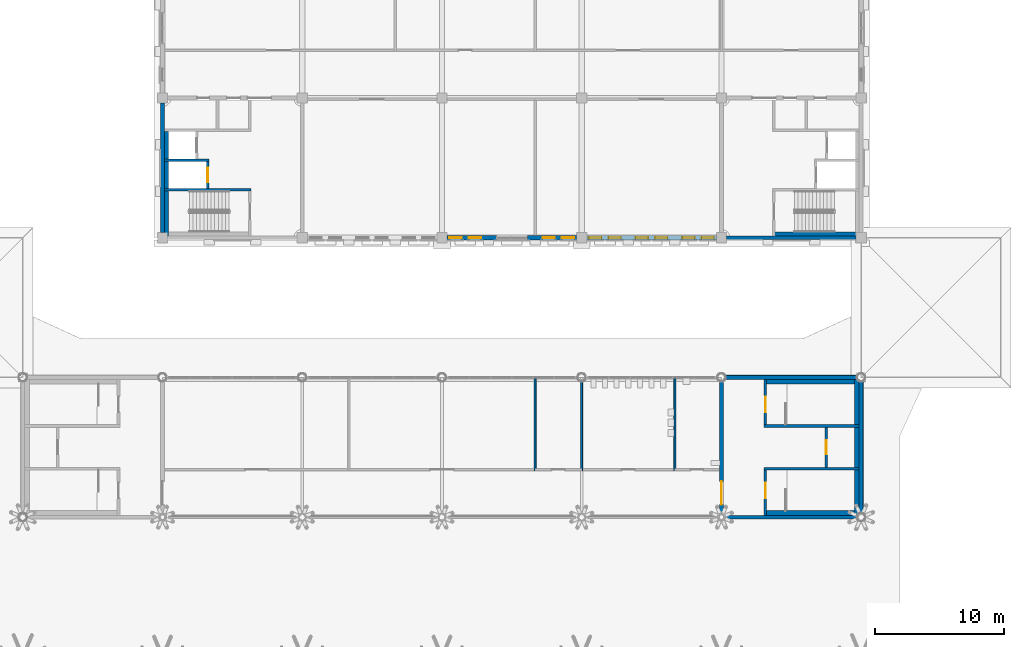
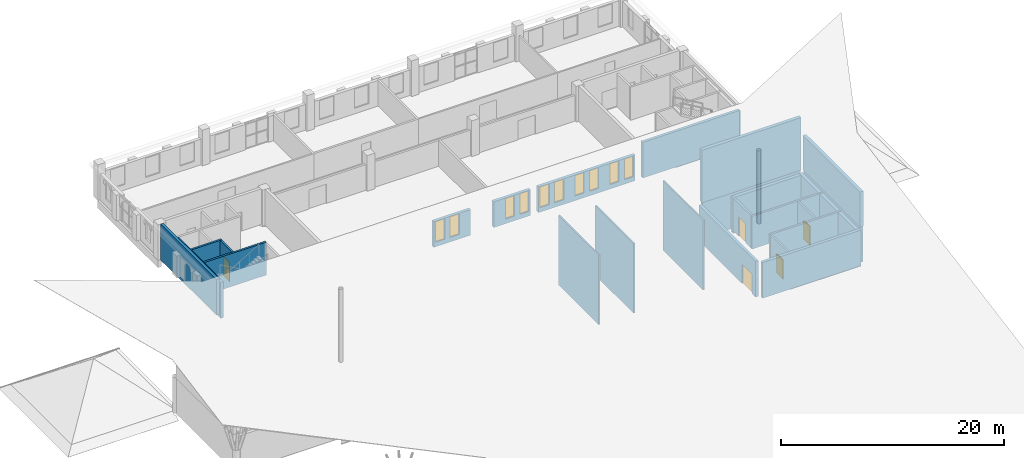
# One storey, part 44 of 56: 31 walls, 10 windows, 5 doors, 15 openings.
"""IFC4 building model written with IfcOpenShell, lengths in metres."""

from ifc_helpers import new_model, si_unit, direction, frame, frame_2d, origin, place, context, subcontext, project, spatial, rectangle, extrude, material, layer, layer_set, type_object, element, fill, save


model = new_model("IFC4")

# Units and contexts
model_context = context("Model", 3, precision=1e-05, world=origin(), true_north=direction((0.0, 1.0)))
body_context = subcontext(model_context, "Body", "Model", "MODEL_VIEW")
ifc_project = project(units=[si_unit("LENGTHUNIT", "METRE"), si_unit("AREAUNIT", "SQUARE_METRE"), si_unit("VOLUMEUNIT", "CUBIC_METRE"), si_unit("PLANEANGLEUNIT", "RADIAN"), si_unit("MASSUNIT", "GRAM", prefix="KILO")], contexts=[model_context])

# Site, building, storey
site_placement = place(None, origin())
site = spatial("IfcSite", under=ifc_project, at=site_placement, CompositionType="ELEMENT")
building_placement = place(site_placement, origin())
building = spatial("IfcBuilding", under=site, at=building_placement, Name="Magnolia Steps Interchange", CompositionType="ELEMENT")
storey_placement = place(building_placement, frame((0.0, 0.0, 8.699951171875)))
storey = spatial("IfcBuildingStorey", under=building, at=storey_placement, Name="L02", CompositionType="ELEMENT", Elevation=8.699951171875)

# Wall, opening, door
ifc_material_1 = material(Name="Concrete C35", Category="concrete")
ifc_layer_1 = layer(ifc_material_1, 0.199951171875)
ifc_layer_set_1 = layer_set([ifc_layer_1], Name="Core enclosure wall 200")
wall_type_1 = type_object("IfcWallType", Name="Core enclosure wall 200", PredefinedType="SOLIDWALL", material=ifc_layer_set_1)
wall_1_placement = place(storey_placement, frame((110.60009765625, 85.449951171875, 0.0), z_axis=(0.0, 0.0, 1.0), x_axis=(0.0, -1.0, 0.0)))
wall_1 = element("IfcWall", 1, at=wall_1_placement, inside=storey, type_object=wall_type_1, Name="L02 HC2 enclosure wall", PredefinedType="SOLIDWALL", context=body_context, shape_type="SweptSolid", body=[
    extrude(rectangle(XDim=3.5, YDim=0.199951171875, at=frame_2d((1.75, 0.0))), origin(), (0.0, 0.0, 1.0), 3.60009765625),
])
opening_1_placement = place(wall_1_placement, frame((1.324951171875, 0.0, 0.0)))
opening_1 = element("IfcOpeningElement", 2, at=opening_1_placement, cuts=wall_1, Name="Opening D-HC2-L02-1", PredefinedType="OPENING", context=body_context, shape_type="SweptSolid", body=[
    extrude(rectangle(XDim=1.199951171875, YDim=2.10009765625, at=frame_2d((0.60009765625, 1.050048828125))), frame((0.0, 0.10986328125, 0.0), z_axis=(0.0, -1.0, 0.0), x_axis=(1.0, 0.0, 0.0)), (0.0, 0.0, 1.0), 0.219970703125),
])
ifc_material_2 = material(Name="Painted steel", Category="steel")
door_type_1 = type_object("IfcDoorType", Name="Stair fire door 1200x2100", OperationType="NOTDEFINED", PredefinedType="DOOR", material=ifc_material_2)
door_1_placement = place(opening_1_placement, frame((1.199951171875, 0.0, 0.0), z_axis=(0.0, 0.0, 1.0), x_axis=(-1.0, 0.0, 0.0)))
door_1 = element("IfcDoor", 3, at=door_1_placement, inside=storey, type_object=door_type_1, Name="Stair door ST3 L02", OperationType="SINGLE_SWING_LEFT", OverallHeight=2.10009765625, OverallWidth=1.199951171875, PredefinedType="DOOR", context=body_context, shape_type="SweptSolid", body=[
    extrude(rectangle(XDim=1.199951171875, YDim=2.10009765625, at=frame_2d((0.60009765625, 1.050048828125))), frame((0.0, 0.02490234375, 0.0), z_axis=(0.0, -1.0, 0.0), x_axis=(1.0, 0.0, 0.0)), (0.0, 0.0, 1.0), 0.050048828125),
])
fill(opening_1, door_1)

# Wall
wall_2_placement = place(storey_placement, frame((110.5, 81.85009765625, 0.0), z_axis=(0.0, 0.0, 1.0), x_axis=(1.0, 0.0, 0.0)))
element("IfcWall", 4, at=wall_2_placement, inside=storey, type_object=wall_type_1, Name="L02 HC2 enclosure wall", PredefinedType="SOLIDWALL", context=body_context, shape_type="SweptSolid", body=[
    extrude(rectangle(XDim=7.35009765625, YDim=0.199951171875, at=frame_2d((3.675048828125, 0.0))), origin(), (0.0, 0.0, 1.0), 3.60009765625),
])

# Wall, opening, door
wall_3_placement = place(storey_placement, frame((115.300048828125, 81.75, 0.0), z_axis=(0.0, 0.0, 1.0), x_axis=(0.0, -1.0, 0.0)))
wall_3 = element("IfcWall", 5, at=wall_3_placement, inside=storey, type_object=wall_type_1, Name="L02 HC2 enclosure wall", PredefinedType="SOLIDWALL", context=body_context, shape_type="SweptSolid", body=[
    extrude(rectangle(XDim=3.10009765625, YDim=0.199951171875, at=frame_2d((1.550048828125, 0.0))), origin(), (0.0, 0.0, 1.0), 3.60009765625),
])
opening_2_placement = place(wall_3_placement, frame((1.0, 0.0, 0.0)))
opening_2 = element("IfcOpeningElement", 6, at=opening_2_placement, cuts=wall_3, Name="Opening LD", PredefinedType="OPENING", context=body_context, shape_type="SweptSolid", body=[
    extrude(rectangle(XDim=1.10009765625, YDim=2.10009765625, at=frame_2d((0.550048828125, 1.050048828125))), frame((0.0, 0.10986328125, 0.0), z_axis=(0.0, -1.0, 0.0), x_axis=(1.0, 0.0, 0.0)), (0.0, 0.0, 1.0), 0.219970703125),
])
ifc_material_3 = material(Name="Stainless steel grade 304", Category="steel")
door_type_2 = type_object("IfcDoorType", Name="Lift landing door 1100x2100", OperationType="DOUBLE_DOOR_SLIDING", PredefinedType="DOOR", material=ifc_material_3)
door_2_placement = place(opening_2_placement, frame((1.10009765625, 0.0, 0.0), z_axis=(0.0, 0.0, 1.0), x_axis=(-1.0, 0.0, 0.0)))
door_2 = element("IfcDoor", 7, at=door_2_placement, inside=storey, type_object=door_type_2, Name="Lift landing door LF2 L02", OperationType="DOUBLE_DOOR_SLIDING", OverallHeight=2.10009765625, OverallWidth=1.10009765625, PredefinedType="DOOR", context=body_context, shape_type="SweptSolid", body=[
    extrude(rectangle(XDim=1.10009765625, YDim=2.10009765625, at=frame_2d((0.550048828125, 1.050048828125))), frame((0.0, 0.02490234375, 0.0), z_axis=(0.0, -1.0, 0.0), x_axis=(1.0, 0.0, 0.0)), (0.0, 0.0, 1.0), 0.050048828125),
])
fill(opening_2, door_2)

# Wall
wall_4_placement = place(storey_placement, frame((110.5, 78.550048828125, 0.0), z_axis=(0.0, 0.0, 1.0), x_axis=(1.0, 0.0, 0.0)))
element("IfcWall", 8, at=wall_4_placement, inside=storey, type_object=wall_type_1, Name="L02 HC2 enclosure wall", PredefinedType="SOLIDWALL", context=body_context, shape_type="SweptSolid", body=[
    extrude(rectangle(XDim=7.35009765625, YDim=0.199951171875, at=frame_2d((3.675048828125, 0.0))), origin(), (0.0, 0.0, 1.0), 3.60009765625),
])

# Wall, opening, door
wall_5_placement = place(storey_placement, frame((110.60009765625, 78.449951171875, 0.0), z_axis=(0.0, 0.0, 1.0), x_axis=(0.0, -1.0, 0.0)))
wall_5 = element("IfcWall", 9, at=wall_5_placement, inside=storey, type_object=wall_type_1, Name="L02 HC2 enclosure wall", PredefinedType="SOLIDWALL", context=body_context, shape_type="SweptSolid", body=[
    extrude(rectangle(XDim=3.5, YDim=0.199951171875, at=frame_2d((1.75, 0.0))), origin(), (0.0, 0.0, 1.0), 3.60009765625),
])
opening_3_placement = place(wall_5_placement, frame((0.97509765625, 0.0, 0.0)))
opening_3 = element("IfcOpeningElement", 10, at=opening_3_placement, cuts=wall_5, Name="Opening D-HC2-L02-2", PredefinedType="OPENING", context=body_context, shape_type="SweptSolid", body=[
    extrude(rectangle(XDim=1.199951171875, YDim=2.10009765625, at=frame_2d((0.60009765625, 1.050048828125))), frame((0.0, 0.10986328125, 0.0), z_axis=(0.0, -1.0, 0.0), x_axis=(1.0, 0.0, 0.0)), (0.0, 0.0, 1.0), 0.219970703125),
])
door_3_placement = place(opening_3_placement, frame((1.199951171875, 0.0, 0.0), z_axis=(0.0, 0.0, 1.0), x_axis=(-1.0, 0.0, 0.0)))
door_3 = element("IfcDoor", 11, at=door_3_placement, inside=storey, type_object=door_type_1, Name="Stair door ST4 L02", OperationType="SINGLE_SWING_RIGHT", OverallHeight=2.10009765625, OverallWidth=1.199951171875, PredefinedType="DOOR", context=body_context, shape_type="SweptSolid", body=[
    extrude(rectangle(XDim=1.199951171875, YDim=2.10009765625, at=frame_2d((0.60009765625, 1.050048828125))), frame((0.0, 0.02490234375, 0.0), z_axis=(0.0, -1.0, 0.0), x_axis=(1.0, 0.0, 0.0)), (0.0, 0.0, 1.0), 0.050048828125),
])
fill(opening_3, door_3)

# Wall
wall_6_placement = place(storey_placement, frame((70.85009765625, 100.10009765625, 0.0), z_axis=(0.0, 0.0, 1.0), x_axis=(-1.0, 0.0, 0.0)))
element("IfcWall", 12, at=wall_6_placement, inside=storey, type_object=wall_type_1, Name="L02 OC-W enclosure wall", PredefinedType="SOLIDWALL", context=body_context, shape_type="SweptSolid", body=[
    extrude(rectangle(XDim=6.7001953125, YDim=0.199951171875, at=frame_2d((3.35009765625, 0.0))), origin(), (0.0, 0.0, 1.0), 3.60009765625),
])

# Wall, opening, door
wall_7_placement = place(storey_placement, frame((67.5, 100.199951171875, 0.0), z_axis=(0.0, 0.0, 1.0), x_axis=(0.0, 1.0, 0.0)))
wall_7 = element("IfcWall", 13, at=wall_7_placement, inside=storey, type_object=wall_type_1, Name="L02 OC-W enclosure wall", PredefinedType="SOLIDWALL", context=body_context, shape_type="SweptSolid", body=[
    extrude(rectangle(XDim=2.10009765625, YDim=0.199951171875, at=frame_2d((1.050048828125, 0.0))), origin(), (0.0, 0.0, 1.0), 3.60009765625),
])
opening_4_placement = place(wall_7_placement, frame((0.5, 0.0, 0.0)))
opening_4 = element("IfcOpeningElement", 14, at=opening_4_placement, cuts=wall_7, Name="Opening LD", PredefinedType="OPENING", context=body_context, shape_type="SweptSolid", body=[
    extrude(rectangle(XDim=1.10009765625, YDim=2.10009765625, at=frame_2d((0.550048828125, 1.050048828125))), frame((0.0, 0.10986328125, 0.0), z_axis=(0.0, -1.0, 0.0), x_axis=(1.0, 0.0, 0.0)), (0.0, 0.0, 1.0), 0.219970703125),
])
door_4_placement = place(opening_4_placement, frame((1.10009765625, 0.0, 0.0), z_axis=(0.0, 0.0, 1.0), x_axis=(-1.0, 0.0, 0.0)))
door_4 = element("IfcDoor", 15, at=door_4_placement, inside=storey, type_object=door_type_2, Name="Lift landing door LF15 L02", OperationType="DOUBLE_DOOR_SLIDING", OverallHeight=2.10009765625, OverallWidth=1.10009765625, PredefinedType="DOOR", context=body_context, shape_type="SweptSolid", body=[
    extrude(rectangle(XDim=1.10009765625, YDim=2.10009765625, at=frame_2d((0.550048828125, 1.050048828125))), frame((0.0, 0.02490234375, 0.0), z_axis=(0.0, -1.0, 0.0), x_axis=(1.0, 0.0, 0.0)), (0.0, 0.0, 1.0), 0.050048828125),
])
fill(opening_4, door_4)

# Walls
wall_8_placement = place(storey_placement, frame((67.60009765625, 102.39990234375, 0.0), z_axis=(0.0, 0.0, 1.0), x_axis=(-1.0, 0.0, 0.0)))
element("IfcWall", 16, at=wall_8_placement, inside=storey, type_object=wall_type_1, Name="L02 OC-W enclosure wall", PredefinedType="SOLIDWALL", context=body_context, shape_type="SweptSolid", body=[
    extrude(rectangle(XDim=3.4501953125, YDim=0.199951171875, at=frame_2d((1.72509765625, 0.0))), origin(), (0.0, 0.0, 1.0), 3.60009765625),
])
ifc_material_4 = material(Name="Concrete C35", Category="concrete")
ifc_layer_2 = layer(ifc_material_4, 0.300048828125)
ifc_layer_set_2 = layer_set([ifc_layer_2], Name="Core lining wall 300")
wall_type_2 = type_object("IfcWallType", Name="Core lining wall 300", PredefinedType="SOLIDWALL", material=ifc_layer_set_2)
wall_9_placement = place(storey_placement, frame((64.300048828125, 96.550048828125, -0.300048828125), z_axis=(0.0, 0.0, 1.0), x_axis=(0.0, 1.0, 0.0)))
element("IfcWall", 17, at=wall_9_placement, inside=storey, type_object=wall_type_2, Name="L02 OC-W stair lining wall", PredefinedType="SOLIDWALL", context=body_context, shape_type="SweptSolid", body=[
    extrude(rectangle(XDim=3.449951171875, YDim=0.300048828125, at=frame_2d((1.72509765625, 0.0))), origin(), (0.0, 0.0, 1.0), 3.900146484375),
])
for number, where, z_axis, x_axis, name in (
    (18, (64.300048828125, 100.199951171875, -0.300048828125), (0.0, 0.0, 1.0), (0.0, 1.0, 0.0), "L02 OC-W stair lining wall"),
    (19, (64.300048828125, 102.5, -0.300048828125), (0.0, 0.0, 1.0), (0.0, 1.0, 0.0), "L02 OC-W stair lining wall"),
):
    element("IfcWall", number, at=place(storey_placement, frame(where, z_axis=z_axis, x_axis=x_axis)), inside=storey, type_object=wall_type_2, Name=name, PredefinedType="SOLIDWALL", context=body_context, shape_type="SweptSolid", body=[
        extrude(rectangle(XDim=2.10009765625, YDim=0.300048828125, at=frame_2d((1.050048828125, 0.0))), origin(), (0.0, 0.0, 1.0), 3.900146484375),
    ])
wall_10_placement = place(storey_placement, frame((111.14990234375, 96.699951171875, -0.300048828125), z_axis=(0.0, 0.0, 1.0), x_axis=(1.0, 0.0, 0.0)))
element("IfcWall", 20, at=wall_10_placement, inside=storey, type_object=wall_type_2, Name="L02 OC-E stair lining wall", PredefinedType="SOLIDWALL", context=body_context, shape_type="SweptSolid", body=[
    extrude(rectangle(XDim=6.7001953125, YDim=0.300048828125, at=frame_2d((3.35009765625, 0.0))), origin(), (0.0, 0.0, 1.0), 3.900146484375),
])
ifc_material_5 = material(Name="Concrete C35", Category="concrete")
ifc_layer_3 = layer(ifc_material_5, 0.35009765625)
ifc_layer_set_3 = layer_set([ifc_layer_3], Name="Core lining wall 350")
wall_type_3 = type_object("IfcWallType", Name="Core lining wall 350", PredefinedType="SOLIDWALL", material=ifc_layer_set_3)
wall_11_placement = place(storey_placement, frame((110.5, 85.27490234375, -0.300048828125), z_axis=(0.0, 0.0, 1.0), x_axis=(1.0, 0.0, 0.0)))
element("IfcWall", 21, at=wall_11_placement, inside=storey, type_object=wall_type_3, Name="L02 HC2 stair lining wall", PredefinedType="SOLIDWALL", context=body_context, shape_type="SweptSolid", body=[
    extrude(rectangle(XDim=7.35009765625, YDim=0.35009765625, at=frame_2d((3.675048828125, 0.0))), origin(), (0.0, 0.0, 1.0), 3.900146484375),
])
wall_12_placement = place(storey_placement, frame((117.675048828125, 85.449951171875, -0.300048828125), z_axis=(0.0, 0.0, 1.0), x_axis=(0.0, -1.0, 0.0)))
element("IfcWall", 22, at=wall_12_placement, inside=storey, type_object=wall_type_3, Name="L02 HC2 stair lining wall", PredefinedType="SOLIDWALL", context=body_context, shape_type="SweptSolid", body=[
    extrude(rectangle(XDim=3.5, YDim=0.35009765625, at=frame_2d((1.75, 0.0))), origin(), (0.0, 0.0, 1.0), 3.900146484375),
])
wall_13_placement = place(storey_placement, frame((110.5, 75.125, -0.300048828125), z_axis=(0.0, 0.0, 1.0), x_axis=(1.0, 0.0, 0.0)))
element("IfcWall", 23, at=wall_13_placement, inside=storey, type_object=wall_type_3, Name="L02 HC2 stair lining wall", PredefinedType="SOLIDWALL", context=body_context, shape_type="SweptSolid", body=[
    extrude(rectangle(XDim=7.35009765625, YDim=0.35009765625, at=frame_2d((3.675048828125, 0.0))), origin(), (0.0, 0.0, 1.0), 3.900146484375),
])
wall_14_placement = place(storey_placement, frame((117.675048828125, 78.449951171875, -0.300048828125), z_axis=(0.0, 0.0, 1.0), x_axis=(0.0, -1.0, 0.0)))
element("IfcWall", 24, at=wall_14_placement, inside=storey, type_object=wall_type_3, Name="L02 HC2 stair lining wall", PredefinedType="SOLIDWALL", context=body_context, shape_type="SweptSolid", body=[
    extrude(rectangle(XDim=3.5, YDim=0.35009765625, at=frame_2d((1.75, 0.0))), origin(), (0.0, 0.0, 1.0), 3.900146484375),
])
wall_15_placement = place(storey_placement, frame((117.675048828125, 81.75, -0.300048828125), z_axis=(0.0, 0.0, 1.0), x_axis=(0.0, -1.0, 0.0)))
element("IfcWall", 25, at=wall_15_placement, inside=storey, type_object=wall_type_3, Name="L02 HC2 stair lining wall", PredefinedType="SOLIDWALL", context=body_context, shape_type="SweptSolid", body=[
    extrude(rectangle(XDim=3.10009765625, YDim=0.35009765625, at=frame_2d((1.550048828125, 0.0))), origin(), (0.0, 0.0, 1.0), 3.900146484375),
])
ifc_material_6 = material(Name="Concrete C40", Category="concrete")
ifc_layer_4 = layer(ifc_material_6, 0.300048828125)
ifc_layer_set_4 = layer_set([ifc_layer_4], Name="Core wall 300")
wall_type_4 = type_object("IfcWallType", Name="Core wall 300", PredefinedType="SOLIDWALL", material=ifc_layer_set_4)
wall_16_placement = place(storey_placement, frame((107.5048828125, 74.800048828125, 0.0), z_axis=(0.0, 0.0, 1.0), x_axis=(1.0, 0.0, 0.0)))
element("IfcWall", 26, at=wall_16_placement, inside=storey, type_object=wall_type_4, Name="Core wall HC2", PredefinedType="SOLIDWALL", context=body_context, shape_type="SweptSolid", body=[
    extrude(rectangle(XDim=10.1650390625, YDim=0.300048828125, at=frame_2d((5.08251953125, 0.0))), origin(), (0.0, 0.0, 1.0), 3.900146484375),
])
wall_17_placement = place(storey_placement, frame((118.0, 75.1298828125, 0.0), z_axis=(0.0, 0.0, 1.0), x_axis=(0.0, 1.0, 0.0)))
element("IfcWall", 27, at=wall_17_placement, inside=storey, type_object=wall_type_4, Name="Core wall HC2", PredefinedType="SOLIDWALL", context=body_context, shape_type="SweptSolid", body=[
    extrude(rectangle(XDim=10.14013671875, YDim=0.300048828125, at=frame_2d((5.070068359375, 0.0))), origin(), (0.0, 0.0, 1.0), 3.900146484375),
])
wall_18_placement = place(storey_placement, frame((117.669921875, 85.60009765625, 0.0), z_axis=(0.0, 0.0, 1.0), x_axis=(-1.0, 0.0, 0.0)))
element("IfcWall", 28, at=wall_18_placement, inside=storey, type_object=wall_type_4, Name="Core wall HC2", PredefinedType="SOLIDWALL", context=body_context, shape_type="SweptSolid", body=[
    extrude(rectangle(XDim=10.139892578125, YDim=0.300048828125, at=frame_2d((5.06982421875, 0.0))), origin(), (0.0, 0.0, 1.0), 3.900146484375),
])

# Wall, opening, door
wall_19_placement = place(storey_placement, frame((107.199951171875, 85.27001953125, 0.0), z_axis=(0.0, 0.0, 1.0), x_axis=(0.0, -1.0, 0.0)))
wall_19 = element("IfcWall", 29, at=wall_19_placement, inside=storey, type_object=wall_type_4, Name="Core wall HC2", PredefinedType="SOLIDWALL", context=body_context, shape_type="SweptSolid", body=[
    extrude(rectangle(XDim=10.1650390625, YDim=0.300048828125, at=frame_2d((5.08251953125, 0.0))), origin(), (0.0, 0.0, 1.0), 3.900146484375),
])
opening_5_placement = place(wall_19_placement, frame((7.695068359375, 0.0, 0.0)))
opening_5 = element("IfcOpeningElement", 30, at=opening_5_placement, cuts=wall_19, Name="Opening D-HC2-L02-3", PredefinedType="OPENING", context=body_context, shape_type="SweptSolid", body=[
    extrude(rectangle(XDim=1.800048828125, YDim=2.10009765625, at=frame_2d((0.89990234375, 1.050048828125))), frame((0.0, 0.159912109375, 0.0), z_axis=(0.0, -1.0, 0.0), x_axis=(1.0, 0.0, 0.0)), (0.0, 0.0, 1.0), 0.320068359375),
])
ifc_material_7 = material(Name="Timber and glass", Category="wood")
door_type_3 = type_object("IfcDoorType", Name="Core entrance door pair 1800x2100", OperationType="DOUBLE_DOOR_DOUBLE_SWING", PredefinedType="DOOR", material=ifc_material_7)
door_5_placement = place(opening_5_placement, frame((1.800048828125, 0.0, 0.0), z_axis=(0.0, 0.0, 1.0), x_axis=(-1.0, 0.0, 0.0)))
door_5 = element("IfcDoor", 31, at=door_5_placement, inside=storey, type_object=door_type_3, Name="Core entrance door HC2 L02", OperationType="DOUBLE_DOOR_DOUBLE_SWING", OverallHeight=2.10009765625, OverallWidth=1.800048828125, PredefinedType="DOOR", context=body_context, shape_type="SweptSolid", body=[
    extrude(rectangle(XDim=1.800048828125, YDim=2.10009765625, at=frame_2d((0.89990234375, 1.050048828125))), frame((0.0, 0.02490234375, 0.0), z_axis=(0.0, -1.0, 0.0), x_axis=(1.0, 0.0, 0.0)), (0.0, 0.0, 1.0), 0.050048828125),
])
fill(opening_5, door_5)

# Walls
for number, where, z_axis, x_axis, name in (
    (32, (64.0, 106.800048828125, 0.0), (0.0, 0.0, 1.0), (0.0, -1.0, 0.0), "Core wall OC-W"),
    (33, (107.60009765625, 96.39990234375, 0.0), (0.0, 0.0, 1.0), (1.0, 0.0, 0.0), "Core wall OC-E"),
):
    element("IfcWall", number, at=place(storey_placement, frame(where, z_axis=z_axis, x_axis=x_axis)), inside=storey, type_object=wall_type_4, Name=name, PredefinedType="SOLIDWALL", context=body_context, shape_type="SweptSolid", body=[
        extrude(rectangle(XDim=10.0, YDim=0.300048828125, at=frame_2d((5.0, 0.0))), origin(), (0.0, 0.0, 1.0), 3.900146484375),
    ])

# Wall, openings, windows
ifc_material_8 = material(Name="Lime render on masonry", Category="masonry")
ifc_layer_5 = layer(ifc_material_8, 0.324951171875)
ifc_layer_set_5 = layer_set([ifc_layer_5], Name="Lime render wall 325")
wall_type_5 = type_object("IfcWallType", Name="Lime render wall 325", PredefinedType="SOLIDWALL", material=ifc_layer_set_5)
wall_20_placement = place(storey_placement, frame((86.0, 96.39990234375, 0.0), z_axis=(0.0, 0.0, 1.0), x_axis=(1.0, 0.0, 0.0)))
wall_20 = element("IfcWall", 34, at=wall_20_placement, inside=storey, type_object=wall_type_5, Name="Operations building south wall L02 pier 1", PredefinedType="SOLIDWALL", context=body_context, shape_type="SweptSolid", body=[
    extrude(rectangle(XDim=3.800048828125, YDim=0.324951171875, at=frame_2d((1.89990234375, 0.0))), origin(), (0.0, 0.0, 1.0), 2.800048828125),
])
opening_6_placement = place(wall_20_placement, frame((0.175048828125, 0.0, 0.5)))
opening_6 = element("IfcOpeningElement", 35, at=opening_6_placement, cuts=wall_20, Name="Opening WN13", PredefinedType="OPENING", context=body_context, shape_type="SweptSolid", body=[
    extrude(rectangle(XDim=0.949951171875, YDim=2.25, at=frame_2d((0.47509765625, 1.125))), frame((0.0, 0.17236328125, 0.0), z_axis=(0.0, -1.0, 0.0), x_axis=(1.0, 0.0, 0.0)), (0.0, 0.0, 1.0), 0.344970703125),
])
opening_7_placement = place(wall_20_placement, frame((1.675048828125, 0.0, 0.5)))
opening_7 = element("IfcOpeningElement", 36, at=opening_7_placement, cuts=wall_20, Name="Opening WN13", PredefinedType="OPENING", context=body_context, shape_type="SweptSolid", body=[
    extrude(rectangle(XDim=0.949951171875, YDim=2.25, at=frame_2d((0.47509765625, 1.125))), frame((0.0, 0.17236328125, 0.0), z_axis=(0.0, -1.0, 0.0), x_axis=(1.0, 0.0, 0.0)), (0.0, 0.0, 1.0), 0.344970703125),
])
ifc_material_9 = material(Name="Timber frame with double glazing", Category="wood")
window_type = type_object("IfcWindowType", Name="Paired piano nobile window 950 x 2250", PartitioningType="DOUBLE_PANEL_VERTICAL", PredefinedType="WINDOW", material=ifc_material_9)
window_1_placement = place(opening_6_placement, origin())
window_1 = element("IfcWindow", 37, at=window_1_placement, inside=storey, type_object=window_type, Name="Paired window L02 south 4a", OverallHeight=2.25, OverallWidth=0.949951171875, PartitioningType="SINGLE_PANEL", PredefinedType="WINDOW", context=body_context, shape_type="SweptSolid", body=[
    extrude(rectangle(XDim=0.949951171875, YDim=2.25, at=frame_2d((0.47509765625, 1.125))), frame((0.0, 0.030029296875, 0.0), z_axis=(0.0, -1.0, 0.0), x_axis=(1.0, 0.0, 0.0)), (0.0, 0.0, 1.0), 0.06005859375),
])
fill(opening_6, window_1)
window_2_placement = place(opening_7_placement, origin())
window_2 = element("IfcWindow", 38, at=window_2_placement, inside=storey, type_object=window_type, Name="Paired window L02 south 4b", OverallHeight=2.25, OverallWidth=0.949951171875, PartitioningType="SINGLE_PANEL", PredefinedType="WINDOW", context=body_context, shape_type="SweptSolid", body=[
    extrude(rectangle(XDim=0.949951171875, YDim=2.25, at=frame_2d((0.47509765625, 1.125))), frame((0.0, 0.030029296875, 0.0), z_axis=(0.0, -1.0, 0.0), x_axis=(1.0, 0.0, 0.0)), (0.0, 0.0, 1.0), 0.06005859375),
])
fill(opening_7, window_2)

wall_21_placement = place(storey_placement, frame((92.199951171875, 96.39990234375, 0.0), z_axis=(0.0, 0.0, 1.0), x_axis=(1.0, 0.0, 0.0)))
wall_21 = element("IfcWall", 39, at=wall_21_placement, inside=storey, type_object=wall_type_5, Name="Operations building south wall L02 pier 3", PredefinedType="SOLIDWALL", context=body_context, shape_type="SweptSolid", body=[
    extrude(rectangle(XDim=3.800048828125, YDim=0.324951171875, at=frame_2d((1.89990234375, 0.0))), origin(), (0.0, 0.0, 1.0), 2.800048828125),
])
opening_8_placement = place(wall_21_placement, frame((1.175048828125, 0.0, 0.5)))
opening_8 = element("IfcOpeningElement", 40, at=opening_8_placement, cuts=wall_21, Name="Opening WN13", PredefinedType="OPENING", context=body_context, shape_type="SweptSolid", body=[
    extrude(rectangle(XDim=0.949951171875, YDim=2.25, at=frame_2d((0.47509765625, 1.125))), frame((0.0, 0.17236328125, 0.0), z_axis=(0.0, -1.0, 0.0), x_axis=(1.0, 0.0, 0.0)), (0.0, 0.0, 1.0), 0.344970703125),
])
opening_9_placement = place(wall_21_placement, frame((2.675048828125, 0.0, 0.5)))
opening_9 = element("IfcOpeningElement", 41, at=opening_9_placement, cuts=wall_21, Name="Opening WN13", PredefinedType="OPENING", context=body_context, shape_type="SweptSolid", body=[
    extrude(rectangle(XDim=0.949951171875, YDim=2.25, at=frame_2d((0.47509765625, 1.125))), frame((0.0, 0.17236328125, 0.0), z_axis=(0.0, -1.0, 0.0), x_axis=(1.0, 0.0, 0.0)), (0.0, 0.0, 1.0), 0.344970703125),
])
window_3_placement = place(opening_8_placement, origin())
window_3 = element("IfcWindow", 42, at=window_3_placement, inside=storey, type_object=window_type, Name="Paired window L02 south 6a", OverallHeight=2.25, OverallWidth=0.949951171875, PartitioningType="SINGLE_PANEL", PredefinedType="WINDOW", context=body_context, shape_type="SweptSolid", body=[
    extrude(rectangle(XDim=0.949951171875, YDim=2.25, at=frame_2d((0.47509765625, 1.125))), frame((0.0, 0.030029296875, 0.0), z_axis=(0.0, -1.0, 0.0), x_axis=(1.0, 0.0, 0.0)), (0.0, 0.0, 1.0), 0.06005859375),
])
fill(opening_8, window_3)
window_4_placement = place(opening_9_placement, origin())
window_4 = element("IfcWindow", 43, at=window_4_placement, inside=storey, type_object=window_type, Name="Paired window L02 south 6b", OverallHeight=2.25, OverallWidth=0.949951171875, PartitioningType="SINGLE_PANEL", PredefinedType="WINDOW", context=body_context, shape_type="SweptSolid", body=[
    extrude(rectangle(XDim=0.949951171875, YDim=2.25, at=frame_2d((0.47509765625, 1.125))), frame((0.0, 0.030029296875, 0.0), z_axis=(0.0, -1.0, 0.0), x_axis=(1.0, 0.0, 0.0)), (0.0, 0.0, 1.0), 0.06005859375),
])
fill(opening_9, window_4)

wall_22_placement = place(storey_placement, frame((96.800048828125, 96.39990234375, 0.0), z_axis=(0.0, 0.0, 1.0), x_axis=(1.0, 0.0, 0.0)))
wall_22 = element("IfcWall", 44, at=wall_22_placement, inside=storey, type_object=wall_type_5, Name="Operations building south wall L02 pier 3", PredefinedType="SOLIDWALL", context=body_context, shape_type="SweptSolid", body=[
    extrude(rectangle(XDim=10.0, YDim=0.324951171875, at=frame_2d((5.0, 0.0))), origin(), (0.0, 0.0, 1.0), 2.800048828125),
])
opening_10_placement = place(wall_22_placement, frame((0.175048828125, 0.0, 0.5)))
opening_10 = element("IfcOpeningElement", 45, at=opening_10_placement, cuts=wall_22, Name="Opening WN13", PredefinedType="OPENING", context=body_context, shape_type="SweptSolid", body=[
    extrude(rectangle(XDim=0.949951171875, YDim=2.25, at=frame_2d((0.47509765625, 1.125))), frame((0.0, 0.17236328125, 0.0), z_axis=(0.0, -1.0, 0.0), x_axis=(1.0, 0.0, 0.0)), (0.0, 0.0, 1.0), 0.344970703125),
])
opening_11_placement = place(wall_22_placement, frame((3.77490234375, 0.0, 0.5)))
opening_11 = element("IfcOpeningElement", 46, at=opening_11_placement, cuts=wall_22, Name="Opening WN13", PredefinedType="OPENING", context=body_context, shape_type="SweptSolid", body=[
    extrude(rectangle(XDim=0.949951171875, YDim=2.25, at=frame_2d((0.47509765625, 1.125))), frame((0.0, 0.17236328125, 0.0), z_axis=(0.0, -1.0, 0.0), x_axis=(1.0, 0.0, 0.0)), (0.0, 0.0, 1.0), 0.344970703125),
])
opening_12_placement = place(wall_22_placement, frame((7.375, 0.0, 0.5)))
opening_12 = element("IfcOpeningElement", 47, at=opening_12_placement, cuts=wall_22, Name="Opening WN13", PredefinedType="OPENING", context=body_context, shape_type="SweptSolid", body=[
    extrude(rectangle(XDim=0.949951171875, YDim=2.25, at=frame_2d((0.47509765625, 1.125))), frame((0.0, 0.17236328125, 0.0), z_axis=(0.0, -1.0, 0.0), x_axis=(1.0, 0.0, 0.0)), (0.0, 0.0, 1.0), 0.344970703125),
])
opening_13_placement = place(wall_22_placement, frame((1.675048828125, 0.0, 0.5)))
opening_13 = element("IfcOpeningElement", 48, at=opening_13_placement, cuts=wall_22, Name="Opening WN13", PredefinedType="OPENING", context=body_context, shape_type="SweptSolid", body=[
    extrude(rectangle(XDim=0.949951171875, YDim=2.25, at=frame_2d((0.47509765625, 1.125))), frame((0.0, 0.17236328125, 0.0), z_axis=(0.0, -1.0, 0.0), x_axis=(1.0, 0.0, 0.0)), (0.0, 0.0, 1.0), 0.344970703125),
])
opening_14_placement = place(wall_22_placement, frame((5.27490234375, 0.0, 0.5)))
opening_14 = element("IfcOpeningElement", 49, at=opening_14_placement, cuts=wall_22, Name="Opening WN13", PredefinedType="OPENING", context=body_context, shape_type="SweptSolid", body=[
    extrude(rectangle(XDim=0.949951171875, YDim=2.25, at=frame_2d((0.47509765625, 1.125))), frame((0.0, 0.17236328125, 0.0), z_axis=(0.0, -1.0, 0.0), x_axis=(1.0, 0.0, 0.0)), (0.0, 0.0, 1.0), 0.344970703125),
])
opening_15_placement = place(wall_22_placement, frame((8.875, 0.0, 0.5)))
opening_15 = element("IfcOpeningElement", 50, at=opening_15_placement, cuts=wall_22, Name="Opening WN13", PredefinedType="OPENING", context=body_context, shape_type="SweptSolid", body=[
    extrude(rectangle(XDim=0.949951171875, YDim=2.25, at=frame_2d((0.47509765625, 1.125))), frame((0.0, 0.17236328125, 0.0), z_axis=(0.0, -1.0, 0.0), x_axis=(1.0, 0.0, 0.0)), (0.0, 0.0, 1.0), 0.344970703125),
])
window_5_placement = place(opening_10_placement, origin())
window_5 = element("IfcWindow", 51, at=window_5_placement, inside=storey, type_object=window_type, Name="Paired window L02 south 7a", OverallHeight=2.25, OverallWidth=0.949951171875, PartitioningType="SINGLE_PANEL", PredefinedType="WINDOW", context=body_context, shape_type="SweptSolid", body=[
    extrude(rectangle(XDim=0.949951171875, YDim=2.25, at=frame_2d((0.47509765625, 1.125))), frame((0.0, 0.030029296875, 0.0), z_axis=(0.0, -1.0, 0.0), x_axis=(1.0, 0.0, 0.0)), (0.0, 0.0, 1.0), 0.06005859375),
])
fill(opening_10, window_5)
window_6_placement = place(opening_11_placement, origin())
window_6 = element("IfcWindow", 52, at=window_6_placement, inside=storey, type_object=window_type, Name="Paired window L02 south 8a", OverallHeight=2.25, OverallWidth=0.949951171875, PartitioningType="SINGLE_PANEL", PredefinedType="WINDOW", context=body_context, shape_type="SweptSolid", body=[
    extrude(rectangle(XDim=0.949951171875, YDim=2.25, at=frame_2d((0.47509765625, 1.125))), frame((0.0, 0.030029296875, 0.0), z_axis=(0.0, -1.0, 0.0), x_axis=(1.0, 0.0, 0.0)), (0.0, 0.0, 1.0), 0.06005859375),
])
fill(opening_11, window_6)
window_7_placement = place(opening_12_placement, origin())
window_7 = element("IfcWindow", 53, at=window_7_placement, inside=storey, type_object=window_type, Name="Paired window L02 south 9a", OverallHeight=2.25, OverallWidth=0.949951171875, PartitioningType="SINGLE_PANEL", PredefinedType="WINDOW", context=body_context, shape_type="SweptSolid", body=[
    extrude(rectangle(XDim=0.949951171875, YDim=2.25, at=frame_2d((0.47509765625, 1.125))), frame((0.0, 0.030029296875, 0.0), z_axis=(0.0, -1.0, 0.0), x_axis=(1.0, 0.0, 0.0)), (0.0, 0.0, 1.0), 0.06005859375),
])
fill(opening_12, window_7)
window_8_placement = place(opening_13_placement, origin())
window_8 = element("IfcWindow", 54, at=window_8_placement, inside=storey, type_object=window_type, Name="Paired window L02 south 7b", OverallHeight=2.25, OverallWidth=0.949951171875, PartitioningType="SINGLE_PANEL", PredefinedType="WINDOW", context=body_context, shape_type="SweptSolid", body=[
    extrude(rectangle(XDim=0.949951171875, YDim=2.25, at=frame_2d((0.47509765625, 1.125))), frame((0.0, 0.030029296875, 0.0), z_axis=(0.0, -1.0, 0.0), x_axis=(1.0, 0.0, 0.0)), (0.0, 0.0, 1.0), 0.06005859375),
])
fill(opening_13, window_8)
window_9_placement = place(opening_14_placement, origin())
window_9 = element("IfcWindow", 55, at=window_9_placement, inside=storey, type_object=window_type, Name="Paired window L02 south 8b", OverallHeight=2.25, OverallWidth=0.949951171875, PartitioningType="SINGLE_PANEL", PredefinedType="WINDOW", context=body_context, shape_type="SweptSolid", body=[
    extrude(rectangle(XDim=0.949951171875, YDim=2.25, at=frame_2d((0.47509765625, 1.125))), frame((0.0, 0.030029296875, 0.0), z_axis=(0.0, -1.0, 0.0), x_axis=(1.0, 0.0, 0.0)), (0.0, 0.0, 1.0), 0.06005859375),
])
fill(opening_14, window_9)
window_10_placement = place(opening_15_placement, origin())
window_10 = element("IfcWindow", 56, at=window_10_placement, inside=storey, type_object=window_type, Name="Paired window L02 south 9b", OverallHeight=2.25, OverallWidth=0.949951171875, PartitioningType="SINGLE_PANEL", PredefinedType="WINDOW", context=body_context, shape_type="SweptSolid", body=[
    extrude(rectangle(XDim=0.949951171875, YDim=2.25, at=frame_2d((0.47509765625, 1.125))), frame((0.0, 0.030029296875, 0.0), z_axis=(0.0, -1.0, 0.0), x_axis=(1.0, 0.0, 0.0)), (0.0, 0.0, 1.0), 0.06005859375),
])
fill(opening_15, window_10)

# Walls
ifc_material_10 = material(Name="Lime render on masonry", Category="masonry")
ifc_layer_6 = layer(ifc_material_10, 0.35009765625)
ifc_layer_set_6 = layer_set([ifc_layer_6], Name="Lime render wall 350")
wall_type_6 = type_object("IfcWallType", Name="Lime render wall 350", PredefinedType="SOLIDWALL", material=ifc_layer_set_6)
wall_23_placement = place(storey_placement, frame((107.47998046875, 85.60009765625, 3.900146484375), z_axis=(0.0, 0.0, 1.0), x_axis=(1.0, 0.0, 0.0)))
element("IfcWall", 57, at=wall_23_placement, inside=storey, type_object=wall_type_6, Name="Hall core upper wall N6", PredefinedType="SOLIDWALL", context=body_context, shape_type="SweptSolid", body=[
    extrude(rectangle(XDim=10.239990234375, YDim=0.35009765625, at=frame_2d((5.1201171875, 0.0))), origin(), (0.0, 0.0, 1.0), 5.745361328125),
])
wall_24_placement = place(storey_placement, frame((118.0, 75.080078125, 3.900146484375), z_axis=(0.0, 0.0, 1.0), x_axis=(0.0, 1.0, 0.0)))
element("IfcWall", 58, at=wall_24_placement, inside=storey, type_object=wall_type_6, Name="Hall core upper wall E4", PredefinedType="SOLIDWALL", context=body_context, shape_type="SweptSolid", body=[
    extrude(rectangle(XDim=10.239990234375, YDim=0.35009765625, at=frame_2d((5.1201171875, 0.0))), origin(), (0.0, 0.0, 1.0), 3.821044921875),
])
ifc_material_11 = material(Name="Fair-faced blockwork", Category="masonry")
ifc_layer_7 = layer(ifc_material_11, 0.14990234375)
ifc_layer_set_7 = layer_set([ifc_layer_7], Name="Partition wall 150")
wall_type_7 = type_object("IfcWallType", Name="Partition wall 150", PredefinedType="PARTITIONING", material=ifc_layer_set_7)
wall_25_placement = place(storey_placement, frame((92.800048828125, 78.39990234375, 0.0), z_axis=(0.0, 0.0, 1.0), x_axis=(0.0, 1.0, 0.0)))
element("IfcWall", 59, at=wall_25_placement, inside=storey, type_object=wall_type_7, Name="L02 partition 7", PredefinedType="PARTITIONING", context=body_context, shape_type="SweptSolid", body=[
    extrude(rectangle(XDim=7.2001953125, YDim=0.14990234375, at=frame_2d((3.60009765625, 0.0))), origin(), (0.0, 0.0, 1.0), 7.625732421875),
])
wall_26_placement = place(storey_placement, frame((96.39990234375, 78.39990234375, 0.0), z_axis=(0.0, 0.0, 1.0), x_axis=(0.0, 1.0, 0.0)))
element("IfcWall", 60, at=wall_26_placement, inside=storey, type_object=wall_type_7, Name="L02 partition 8", PredefinedType="PARTITIONING", context=body_context, shape_type="SweptSolid", body=[
    extrude(rectangle(XDim=6.85009765625, YDim=0.14990234375, at=frame_2d((3.425048828125, 0.0))), origin(), (0.0, 0.0, 1.0), 7.625732421875),
])
wall_27_placement = place(storey_placement, frame((103.60009765625, 78.39990234375, 0.0), z_axis=(0.0, 0.0, 1.0), x_axis=(0.0, 1.0, 0.0)))
element("IfcWall", 61, at=wall_27_placement, inside=storey, type_object=wall_type_7, Name="L02 partition 9", PredefinedType="PARTITIONING", context=body_context, shape_type="SweptSolid", body=[
    extrude(rectangle(XDim=7.2001953125, YDim=0.14990234375, at=frame_2d((3.60009765625, 0.0))), origin(), (0.0, 0.0, 1.0), 7.625732421875),
])

save(model, "model.ifc")
